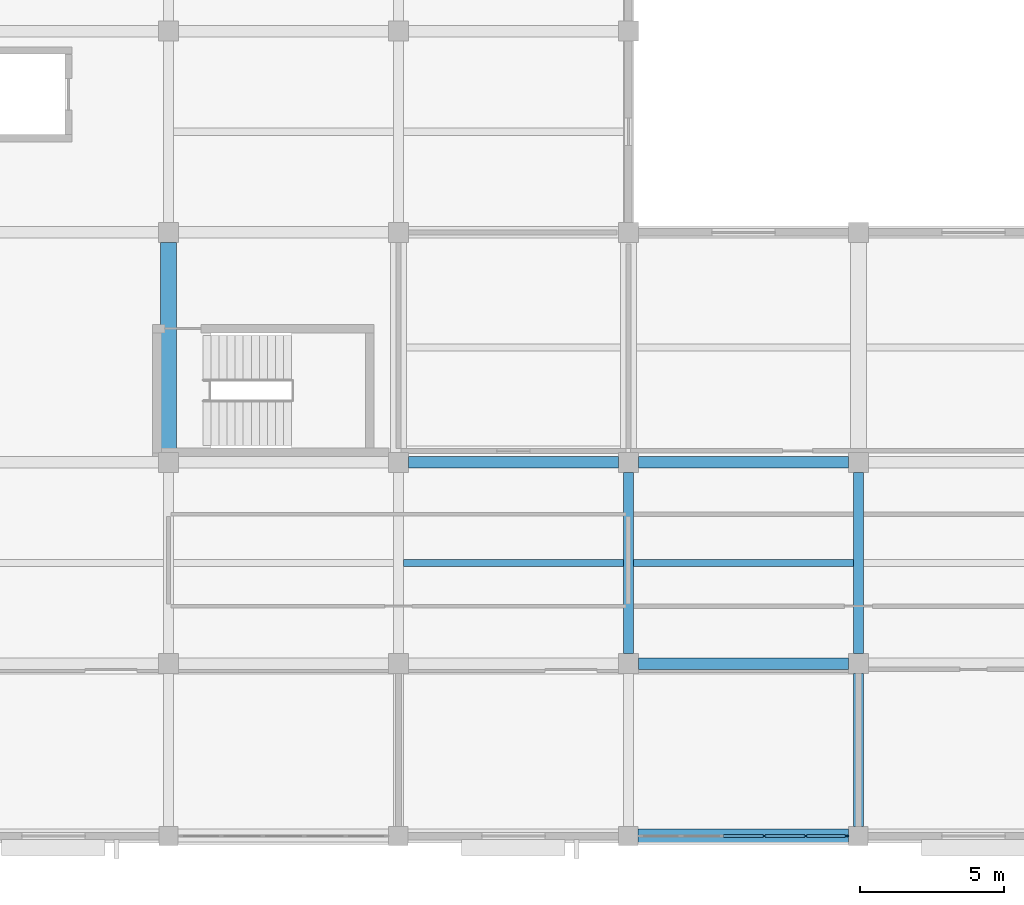
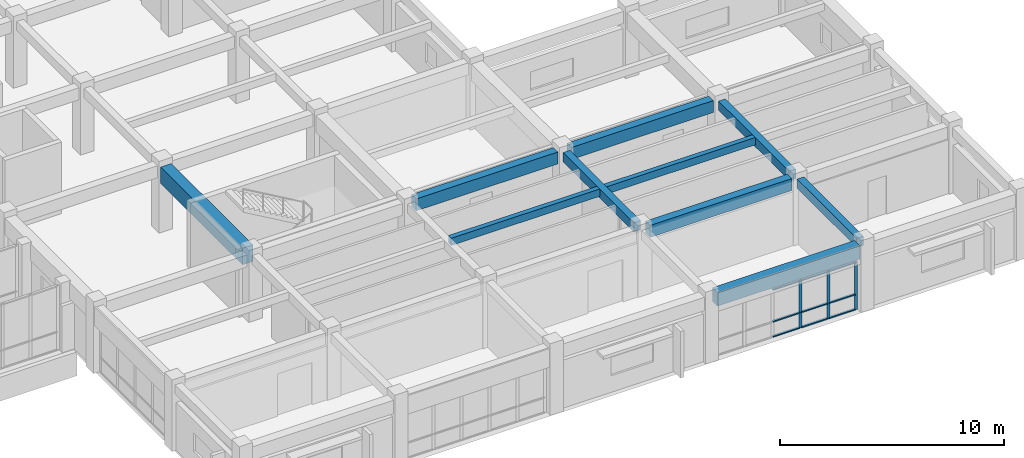
# One storey, part 34 of 66: 12 members, 10 beams, 1 element without a shape of its own.
"""IFC4 building model written with IfcOpenShell, lengths in metres."""

from ifc_helpers import new_model, si_unit, direction, frame, origin, origin_2d, place, context, subcontext, project, spatial, rectangle, extrude, material, layer, layer_set, material_profile, profile_set, type_object, element, aggregate, save


model = new_model("IFC4")

# Units and contexts
model_context = context("Model", 3, precision=1e-05, world=origin(), true_north=direction((0.0, 1.0)))
body_context = subcontext(model_context, "Body", "Model", "MODEL_VIEW")
ifc_project = project(units=[si_unit("LENGTHUNIT", "METRE"), si_unit("AREAUNIT", "SQUARE_METRE"), si_unit("VOLUMEUNIT", "CUBIC_METRE"), si_unit("PLANEANGLEUNIT", "RADIAN"), si_unit("MASSUNIT", "GRAM", prefix="KILO")], contexts=[model_context])

# Site, building, storey
site_placement = place(None, origin())
site = spatial("IfcSite", under=ifc_project, at=site_placement, CompositionType="ELEMENT")
building_placement = place(site_placement, origin())
building = spatial("IfcBuilding", under=site, at=building_placement, Name="Naurynzar Civic Courthouse", CompositionType="ELEMENT")
storey_placement = place(building_placement, frame((0.0, 0.0, 14.39990234375)))
storey = spatial("IfcBuildingStorey", under=building, at=storey_placement, Name="L04", CompositionType="ELEMENT", Elevation=14.39990234375)

# Beams
ifc_material_1 = material(Name="Concrete C40/50", Category="concrete")
ifc_material_profile_1 = material_profile(ifc_material_1, rectangle(XDim=0.25, YDim=0.39990234375, at=origin_2d()), Name="RCB 250x400")
ifc_profile_set_1 = profile_set([ifc_material_profile_1], Name="Concrete C40/50")
beam_type_1 = type_object("IfcBeamType", Name="BM-JST-250x400", PredefinedType="JOIST", material=ifc_profile_set_1)
for number, where, z_axis, x_axis, name in (
    (1, (146.175048828125, 13.5, 3.380126953125), (1.0, 0.0, 0.0), (0.0, 1.0, 0.0), "V5 secondary rib 2599 L04"),
    (2, (154.175048828125, 13.5, 3.380126953125), (1.0, 0.0, 0.0), (0.0, 1.0, 0.0), "V5 secondary rib 2600 L04"),
):
    element("IfcBeam", number, at=place(storey_placement, frame(where, z_axis=z_axis, x_axis=x_axis)), inside=storey, type_object=beam_type_1, Name=name, PredefinedType="JOIST", context=body_context, shape_type="SweptSolid", body=[
        extrude(rectangle(XDim=0.25, YDim=0.39990234375, at=origin_2d()), origin(), (0.0, 0.0, 1.0), 7.64990234375),
    ])
ifc_material_2 = material(Name="Concrete C40/50", Category="concrete")
ifc_material_profile_2 = material_profile(ifc_material_2, rectangle(XDim=0.35009765625, YDim=0.5, at=origin_2d()), Name="RCB 350x500")
ifc_profile_set_2 = profile_set([ifc_material_profile_2], Name="Concrete C40/50")
beam_type_2 = type_object("IfcBeamType", Name="BM-RC-350x500", PredefinedType="BEAM", material=ifc_profile_set_2)
beam_1_placement = place(storey_placement, frame((154.0, 10.35009765625, 3.330078125), z_axis=(0.0, 1.0, 0.0), x_axis=(-1.0, 0.0, 0.0)))
element("IfcBeam", 3, at=beam_1_placement, inside=storey, type_object=beam_type_2, Name="V5 girder Y-2577 L04", PredefinedType="BEAM", context=body_context, shape_type="SweptSolid", body=[
    extrude(rectangle(XDim=0.35009765625, YDim=0.5, at=origin_2d()), origin(), (0.0, 0.0, 1.0), 6.2998046875),
])
beam_2_placement = place(storey_placement, frame((162.0, 4.33740234375, 3.330078125), z_axis=(0.0, 1.0, 0.0), x_axis=(-1.0, 0.0, 0.0)))
element("IfcBeam", 4, at=beam_2_placement, inside=storey, type_object=beam_type_2, Name="V5 girder Y-2585 L04", PredefinedType="BEAM", context=body_context, shape_type="SweptSolid", body=[
    extrude(rectangle(XDim=0.35009765625, YDim=0.5, at=origin_2d()), origin(), (0.0, 0.0, 1.0), 5.3125),
])
beam_3_placement = place(storey_placement, frame((162.0, 10.35009765625, 3.330078125), z_axis=(0.0, 1.0, 0.0), x_axis=(-1.0, 0.0, 0.0)))
element("IfcBeam", 5, at=beam_3_placement, inside=storey, type_object=beam_type_2, Name="V5 girder Y-2586 L04", PredefinedType="BEAM", context=body_context, shape_type="SweptSolid", body=[
    extrude(rectangle(XDim=0.35009765625, YDim=0.5, at=origin_2d()), origin(), (0.0, 0.0, 1.0), 6.2998046875),
])
ifc_material_3 = material(Name="Concrete C40/50", Category="concrete")
ifc_material_profile_3 = material_profile(ifc_material_3, rectangle(XDim=0.39990234375, YDim=0.64990234375, at=origin_2d()), Name="RCB 400x650")
ifc_profile_set_3 = profile_set([ifc_material_profile_3], Name="Concrete C40/50")
beam_type_3 = type_object("IfcBeamType", Name="BM-RC-400x650", PredefinedType="BEAM", material=ifc_profile_set_3)
for number, where, z_axis, x_axis, name in (
    (6, (154.35009765625, 10.0, 3.255126953125), (1.0, 0.0, 0.0), (0.0, 1.0, 0.0), "V5 beam X-2511 L04"),
    (7, (146.35009765625, 17.0, 3.255126953125), (1.0, 0.0, 0.0), (0.0, 1.0, 0.0), "V5 beam X-2515 L04"),
    (8, (154.35009765625, 17.0, 3.255126953125), (1.0, 0.0, 0.0), (0.0, 1.0, 0.0), "V5 beam X-2516 L04"),
):
    element("IfcBeam", number, at=place(storey_placement, frame(where, z_axis=z_axis, x_axis=x_axis)), inside=storey, type_object=beam_type_3, Name=name, PredefinedType="BEAM", context=body_context, shape_type="SweptSolid", body=[
        extrude(rectangle(XDim=0.39990234375, YDim=0.64990234375, at=origin_2d()), origin(), (0.0, 0.0, 1.0), 7.2998046875),
    ])
ifc_material_4 = material(Name="Concrete C40/50", Category="concrete")
ifc_material_profile_4 = material_profile(ifc_material_4, rectangle(XDim=0.47509765625, YDim=0.72509765625, at=origin_2d()), Name="RCB 475x725")
ifc_profile_set_4 = profile_set([ifc_material_profile_4], Name="Concrete C40/50")
beam_type_4 = type_object("IfcBeamType", Name="BM-RC-475x725", PredefinedType="SPANDREL", material=ifc_profile_set_4)
beam_4_placement = place(storey_placement, frame((154.33740234375, 4.0, 3.217529296875), z_axis=(1.0, 0.0, 0.0), x_axis=(0.0, 1.0, 0.0)))
element("IfcBeam", 9, at=beam_4_placement, inside=storey, type_object=beam_type_4, Name="V5 beam X-2506 L04", PredefinedType="SPANDREL", context=body_context, shape_type="SweptSolid", body=[
    extrude(rectangle(XDim=0.47509765625, YDim=0.72509765625, at=origin_2d()), origin(), (0.0, 0.0, 1.0), 7.3251953125),
])
ifc_material_5 = material(Name="Concrete C40/50", Category="concrete")
ifc_material_profile_5 = material_profile(ifc_material_5, rectangle(XDim=0.550048828125, YDim=0.89990234375, at=origin_2d()), Name="RCB 550x900")
ifc_profile_set_5 = profile_set([ifc_material_profile_5], Name="Concrete C40/50")
beam_type_5 = type_object("IfcBeamType", Name="BM-RC-550x900", PredefinedType="T_BEAM", material=ifc_profile_set_5)
beam_5_placement = place(storey_placement, frame((138.0, 17.35009765625, 3.130126953125), z_axis=(0.0, 1.0, 0.0), x_axis=(-1.0, 0.0, 0.0)))
element("IfcBeam", 10, at=beam_5_placement, inside=storey, type_object=beam_type_5, Name="V5 girder Y-2560 L04", PredefinedType="T_BEAM", context=body_context, shape_type="SweptSolid", body=[
    extrude(rectangle(XDim=0.550048828125, YDim=0.89990234375, at=origin_2d()), origin(), (0.0, 0.0, 1.0), 7.2998046875),
])

# Curtain wall, members
ifc_material_6 = material(Name="Aluminium 6063-T6", Category="aluminium")
ifc_layer = layer(ifc_material_6, 0.179931640625)
ifc_layer_set = layer_set([ifc_layer], Name="CW-UNIT-1500")
curtain_wall_type = type_object("IfcCurtainWallType", Name="CW-UNIT-1500", PredefinedType="NOTDEFINED", material=ifc_layer_set)
curtain_wall_placement = place(storey_placement, origin())
curtain_wall = element("IfcCurtainWall", 11, at=curtain_wall_placement, inside=storey, type_object=curtain_wall_type, Name="V5 unitised curtain wall 100 L04", PredefinedType="NOTDEFINED")
ifc_material_7 = material(Name="Aluminium 6063-T6", Category="aluminium")
ifc_material_profile_6 = material_profile(ifc_material_7, rectangle(XDim=0.06005859375, YDim=0.14990234375, at=origin_2d()), Name="ALU MULLION 60x150")
ifc_profile_set_6 = profile_set([ifc_material_profile_6], Name="Aluminium 6063-T6")
member_type_1 = type_object("IfcMemberType", Name="CWM-60x150", PredefinedType="MULLION", material=ifc_profile_set_6)
member_1_placement = place(storey_placement, frame((161.58251953125, 4.0, 0.0), z_axis=(0.0, 0.0, 1.0), x_axis=(0.0, -1.0, 0.0)))
member_1 = element("IfcMember", 12, at=member_1_placement, type_object=member_type_1, Name="CW-01 mullion 1", PredefinedType="MULLION", context=body_context, shape_type="SweptSolid", body=[
    extrude(rectangle(XDim=0.06005859375, YDim=0.14990234375, at=origin_2d()), origin(), (0.0, 0.0, 1.0), 2.610107421875),
])
member_2_placement = place(storey_placement, frame((160.16748046875, 4.0, 0.0), z_axis=(0.0, 0.0, 1.0), x_axis=(0.0, -1.0, 0.0)))
member_2 = element("IfcMember", 13, at=member_2_placement, type_object=member_type_1, Name="CW-01 mullion 2", PredefinedType="MULLION", context=body_context, shape_type="SweptSolid", body=[
    extrude(rectangle(XDim=0.06005859375, YDim=0.14990234375, at=origin_2d()), origin(), (0.0, 0.0, 1.0), 2.610107421875),
])
member_3_placement = place(storey_placement, frame((158.722412109375, 4.0, 0.0), z_axis=(0.0, 0.0, 1.0), x_axis=(0.0, -1.0, 0.0)))
member_3 = element("IfcMember", 14, at=member_3_placement, type_object=member_type_1, Name="CW-01 mullion 3", PredefinedType="MULLION", context=body_context, shape_type="SweptSolid", body=[
    extrude(rectangle(XDim=0.06005859375, YDim=0.14990234375, at=origin_2d()), origin(), (0.0, 0.0, 1.0), 2.610107421875),
])
ifc_material_8 = material(Name="Aluminium 6063-T6", Category="aluminium")
ifc_material_profile_7 = material_profile(ifc_material_8, rectangle(XDim=0.110107421875, YDim=0.06005859375, at=origin_2d()), Name="ALU TRANSOM 60x110")
ifc_profile_set_7 = profile_set([ifc_material_profile_7], Name="Aluminium 6063-T6")
member_type_2 = type_object("IfcMemberType", Name="CWT-60x110", PredefinedType="USERDEFINED", material=ifc_profile_set_7)
member_4_placement = place(storey_placement, frame((161.552490234375, 4.0, 0.030029296875), z_axis=(-1.0, 0.0, 0.0), x_axis=(0.0, -1.0, 0.0)))
member_4 = element("IfcMember", 15, at=member_4_placement, type_object=member_type_2, Name="CW-01 transom 1.1", ObjectType="TRANSOM", PredefinedType="USERDEFINED", context=body_context, shape_type="SweptSolid", body=[
    extrude(rectangle(XDim=0.110107421875, YDim=0.06005859375, at=origin_2d()), origin(), (0.0, 0.0, 1.0), 1.35498046875),
])
member_5_placement = place(storey_placement, frame((161.552490234375, 4.0, 0.85009765625), z_axis=(-1.0, 0.0, 0.0), x_axis=(0.0, -1.0, 0.0)))
member_5 = element("IfcMember", 16, at=member_5_placement, type_object=member_type_2, Name="CW-01 transom 1.2", ObjectType="TRANSOM", PredefinedType="USERDEFINED", context=body_context, shape_type="SweptSolid", body=[
    extrude(rectangle(XDim=0.110107421875, YDim=0.06005859375, at=origin_2d()), origin(), (0.0, 0.0, 1.0), 1.35498046875),
])
member_6_placement = place(storey_placement, frame((161.552490234375, 4.0, 2.580078125), z_axis=(-1.0, 0.0, 0.0), x_axis=(0.0, -1.0, 0.0)))
member_6 = element("IfcMember", 17, at=member_6_placement, type_object=member_type_2, Name="CW-01 transom 1.3", ObjectType="TRANSOM", PredefinedType="USERDEFINED", context=body_context, shape_type="SweptSolid", body=[
    extrude(rectangle(XDim=0.110107421875, YDim=0.06005859375, at=origin_2d()), origin(), (0.0, 0.0, 1.0), 1.35498046875),
])
member_7_placement = place(storey_placement, frame((160.137451171875, 4.0, 0.030029296875), z_axis=(-1.0, 0.0, 0.0), x_axis=(0.0, -1.0, 0.0)))
member_7 = element("IfcMember", 18, at=member_7_placement, type_object=member_type_2, Name="CW-01 transom 2.1", ObjectType="TRANSOM", PredefinedType="USERDEFINED", context=body_context, shape_type="SweptSolid", body=[
    extrude(rectangle(XDim=0.110107421875, YDim=0.06005859375, at=origin_2d()), origin(), (0.0, 0.0, 1.0), 1.385009765625),
])
member_8_placement = place(storey_placement, frame((160.137451171875, 4.0, 0.85009765625), z_axis=(-1.0, 0.0, 0.0), x_axis=(0.0, -1.0, 0.0)))
member_8 = element("IfcMember", 19, at=member_8_placement, type_object=member_type_2, Name="CW-01 transom 2.2", ObjectType="TRANSOM", PredefinedType="USERDEFINED", context=body_context, shape_type="SweptSolid", body=[
    extrude(rectangle(XDim=0.110107421875, YDim=0.06005859375, at=origin_2d()), origin(), (0.0, 0.0, 1.0), 1.385009765625),
])
member_9_placement = place(storey_placement, frame((160.137451171875, 4.0, 2.580078125), z_axis=(-1.0, 0.0, 0.0), x_axis=(0.0, -1.0, 0.0)))
member_9 = element("IfcMember", 20, at=member_9_placement, type_object=member_type_2, Name="CW-01 transom 2.3", ObjectType="TRANSOM", PredefinedType="USERDEFINED", context=body_context, shape_type="SweptSolid", body=[
    extrude(rectangle(XDim=0.110107421875, YDim=0.06005859375, at=origin_2d()), origin(), (0.0, 0.0, 1.0), 1.385009765625),
])
member_10_placement = place(storey_placement, frame((158.6923828125, 4.0, 0.030029296875), z_axis=(-1.0, 0.0, 0.0), x_axis=(0.0, -1.0, 0.0)))
member_10 = element("IfcMember", 21, at=member_10_placement, type_object=member_type_2, Name="CW-01 transom 3.1", ObjectType="TRANSOM", PredefinedType="USERDEFINED", context=body_context, shape_type="SweptSolid", body=[
    extrude(rectangle(XDim=0.110107421875, YDim=0.06005859375, at=origin_2d()), origin(), (0.0, 0.0, 1.0), 1.384765625),
])
member_11_placement = place(storey_placement, frame((158.6923828125, 4.0, 0.85009765625), z_axis=(-1.0, 0.0, 0.0), x_axis=(0.0, -1.0, 0.0)))
member_11 = element("IfcMember", 22, at=member_11_placement, type_object=member_type_2, Name="CW-01 transom 3.2", ObjectType="TRANSOM", PredefinedType="USERDEFINED", context=body_context, shape_type="SweptSolid", body=[
    extrude(rectangle(XDim=0.110107421875, YDim=0.06005859375, at=origin_2d()), origin(), (0.0, 0.0, 1.0), 1.384765625),
])
member_12_placement = place(storey_placement, frame((158.6923828125, 4.0, 2.580078125), z_axis=(-1.0, 0.0, 0.0), x_axis=(0.0, -1.0, 0.0)))
member_12 = element("IfcMember", 23, at=member_12_placement, type_object=member_type_2, Name="CW-01 transom 3.3", ObjectType="TRANSOM", PredefinedType="USERDEFINED", context=body_context, shape_type="SweptSolid", body=[
    extrude(rectangle(XDim=0.110107421875, YDim=0.06005859375, at=origin_2d()), origin(), (0.0, 0.0, 1.0), 1.384765625),
])
aggregate(curtain_wall, [member_1, member_2, member_3, member_4, member_5, member_6, member_7, member_8, member_9, member_10, member_11, member_12])

save(model, "model.ifc")
